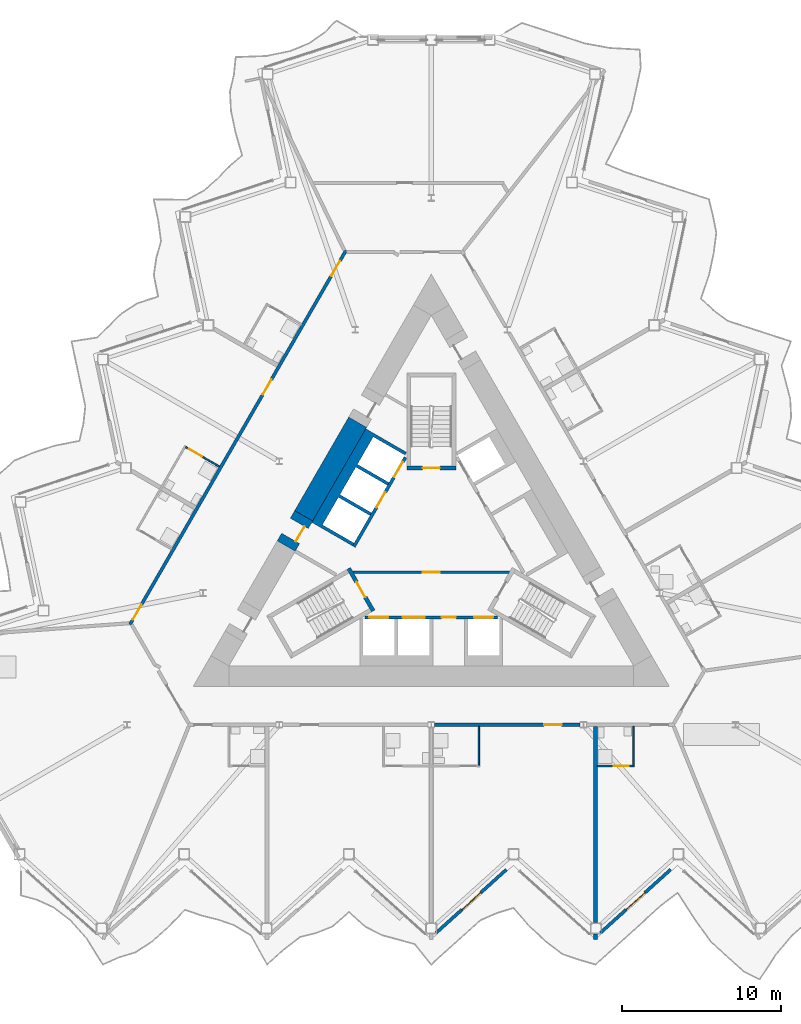
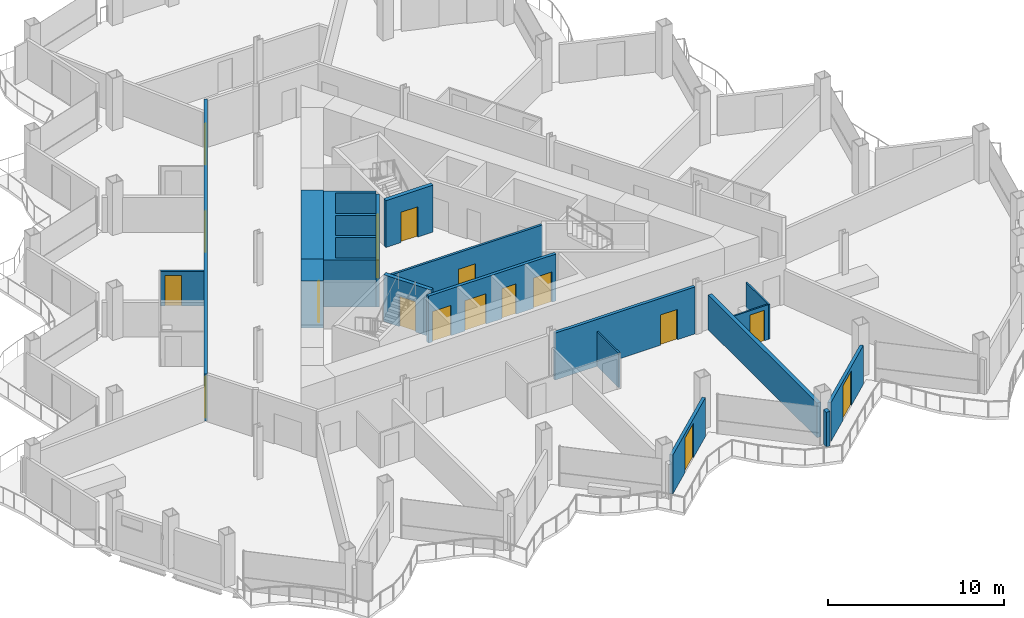
# One storey, part 12 of 24: 18 doors, 18 walls, 18 openings.
"""IFC4 building model written with IfcOpenShell, lengths in metres."""

from ifc_helpers import new_model, si_unit, direction, frame, frame_2d, origin, place, context, subcontext, project, spatial, polyline, rectangle, outline, extrude, material, layer, layer_set, type_object, element, fill, save


model = new_model("IFC4")

# Units and contexts
model_context = context("Model", 3, precision=1e-05, world=origin(), true_north=direction((0.0, 1.0)))
body_context = subcontext(model_context, "Body", "Model", "MODEL_VIEW")
ifc_project = project(units=[si_unit("LENGTHUNIT", "METRE"), si_unit("AREAUNIT", "SQUARE_METRE"), si_unit("VOLUMEUNIT", "CUBIC_METRE"), si_unit("PLANEANGLEUNIT", "RADIAN"), si_unit("MASSUNIT", "GRAM", prefix="KILO")], contexts=[model_context])

# Site, building, storey
site_placement = place(None, origin())
site = spatial("IfcSite", under=ifc_project, at=site_placement, CompositionType="ELEMENT")
building_placement = place(site_placement, origin())
building = spatial("IfcBuilding", under=site, at=building_placement, Name="Cormorant Prow Tower", CompositionType="ELEMENT")
storey_placement = place(building_placement, frame((0.0, 0.0, 234.60009765625)))
storey = spatial("IfcBuildingStorey", under=building, at=storey_placement, Name="L51", CompositionType="ELEMENT", Elevation=234.60009765625)

# Wall, opening, door
ifc_material_1 = material(Name="Gypsum board partition")
ifc_layer_1 = layer(ifc_material_1, 0.14990234375)
ifc_layer_set_1 = layer_set([ifc_layer_1], Name="Gypsum board partition")
wall_type_1 = type_object("IfcWallType", Name="Core partition 150", PredefinedType="PARTITIONING", material=ifc_layer_set_1)
wall_1_placement = place(storey_placement, frame((-4.941162109375, -1.449951171875, 0.0), z_axis=(0.0, 0.0, 1.0), x_axis=(1.0, 0.0, 0.0)))
wall_1 = element("IfcWall", 1, at=wall_1_placement, inside=storey, type_object=wall_type_1, Name="Firefighting lobby partition", PredefinedType="PARTITIONING", context=body_context, shape_type="SweptSolid", body=[
    extrude(rectangle(XDim=9.88232421875, YDim=0.14990234375, at=frame_2d((4.941162109375, 0.0))), origin(), (0.0, 0.0, 1.0), 3.25),
])
opening_1_placement = place(wall_1_placement, frame((4.39111328125, 0.0, 0.0)))
opening_1 = element("IfcOpeningElement", 2, at=opening_1_placement, cuts=wall_1, Name="Opening L51-C10", PredefinedType="OPENING", context=body_context, shape_type="SweptSolid", body=[
    extrude(rectangle(XDim=1.10009765625, YDim=2.10009765625, at=frame_2d((0.550048828125, 1.050048828125))), frame((0.0, 0.0849609375, 0.0), z_axis=(0.0, -1.0, 0.0), x_axis=(1.0, 0.0, 0.0)), (0.0, 0.0, 1.0), 0.169921875),
])
ifc_material_2 = material(Name="Painted steel", Category="steel")
door_type_1 = type_object("IfcDoorType", Name="Firefighting lobby door 1100x2100", OperationType="NOTDEFINED", PredefinedType="DOOR", material=ifc_material_2)
door_1_placement = place(opening_1_placement, origin())
door_1 = element("IfcDoor", 3, at=door_1_placement, inside=storey, type_object=door_type_1, Name="Firefighting lobby door", OperationType="SINGLE_SWING_RIGHT", OverallHeight=2.10009765625, OverallWidth=1.10009765625, PredefinedType="DOOR", context=body_context, shape_type="SweptSolid", body=[
    extrude(rectangle(XDim=1.10009765625, YDim=2.10009765625, at=frame_2d((0.550048828125, 1.050048828125))), frame((0.0, 0.02490234375, 0.0), z_axis=(0.0, -1.0, 0.0), x_axis=(1.0, 0.0, 0.0)), (0.0, 0.0, 1.0), 0.050048828125),
])
fill(opening_1, door_1)

# Wall
ifc_material_3 = material(Name="Concrete 8000 psi", Category="concrete")
ifc_layer_2 = layer(ifc_material_3, 1.300048828125)
ifc_layer_set_2 = layer_set([ifc_layer_2], Name="Concrete 8000 psi")
wall_type_2 = type_object("IfcWallType", Name="Core shear wall 1300", PredefinedType="SHEAR", material=ifc_layer_set_2)
wall_2_placement = place(storey_placement, frame((-4.63623046875, 7.989990234375, 0.0), z_axis=(0.0, 0.0, 1.0), x_axis=(-0.500022813292, -0.866012232124, 0.0)))
element("IfcWall", 4, at=wall_2_placement, inside=storey, type_object=wall_type_2, Name="Core wall", PredefinedType="SHEAR", context=body_context, shape_type="SweptSolid", body=[
    extrude(rectangle(XDim=6.801513671875, YDim=1.300048828125, at=frame_2d((3.40087890625, 0.0))), origin(), (0.0, 0.0, 1.0), 3.25),
])

# Wall, opening, door
wall_3_placement = place(storey_placement, frame((-8.037109375, 2.099853515625, 0.0), z_axis=(0.0, 0.0, 1.0), x_axis=(-0.50002983664, -0.866008176907, 0.0)))
wall_3 = element("IfcWall", 5, at=wall_3_placement, inside=storey, type_object=wall_type_2, Name="Core wall door panel", PredefinedType="SHEAR", context=body_context, shape_type="SweptSolid", body=[
    extrude(rectangle(XDim=2.199951171875, YDim=1.300048828125, at=frame_2d((1.10009765625, 0.0))), origin(), (0.0, 0.0, 1.0), 3.25),
])
opening_2_placement = place(wall_3_placement, frame((0.550048828125, 0.0, 0.0)))
opening_2 = element("IfcOpeningElement", 6, at=opening_2_placement, cuts=wall_3, Name="Opening L51-C18", PredefinedType="OPENING", context=body_context, shape_type="SweptSolid", body=[
    extrude(rectangle(XDim=1.10009765625, YDim=2.10009765625, at=frame_2d((0.550048828125, 1.050048828125))), frame((0.0, 0.659912109375, 0.0), z_axis=(0.0, -1.0, 0.0), x_axis=(1.0, 0.0, 0.0)), (0.0, 0.0, 1.0), 1.320068359375),
])
ifc_material_4 = material(Name="Painted steel", Category="steel")
door_type_2 = type_object("IfcDoorType", Name="Core door 1100x2100", OperationType="NOTDEFINED", PredefinedType="DOOR", material=ifc_material_4)
door_2_placement = place(opening_2_placement, origin())
door_2 = element("IfcDoor", 7, at=door_2_placement, inside=storey, type_object=door_type_2, Name="Core door, lift lobby", OperationType="SINGLE_SWING_RIGHT", OverallHeight=2.10009765625, OverallWidth=1.10009765625, PredefinedType="DOOR", context=body_context, shape_type="SweptSolid", body=[
    extrude(rectangle(XDim=1.10009765625, YDim=2.10009765625, at=frame_2d((0.550048828125, 1.050048828125))), frame((0.0, 0.40478515625, 0.0), z_axis=(0.0, -1.0, 0.0), x_axis=(1.0, 0.0, 0.0)), (0.0, 0.0, 1.0), 0.050048828125),
])
fill(opening_2, door_2)

# Wall, openings, doors
ifc_material_5 = material(Name="Gypsum board corridor wall")
ifc_layer_3 = layer(ifc_material_5, 0.199951171875)
ifc_layer_set_3 = layer_set([ifc_layer_3], Name="Gypsum board corridor wall")
wall_type_3 = type_object("IfcWallType", Name="Corridor wall 200", PredefinedType="PARTITIONING", material=ifc_layer_set_3)
wall_4_placement = place(storey_placement, frame((-18.97607421875, -4.746826171875, 0.0), z_axis=(0.0, 0.0, 1.0), x_axis=(0.499999852422, 0.866025488988, 0.0)))
wall_4 = element("IfcWall", 8, at=wall_4_placement, inside=storey, type_object=wall_type_3, Name="Corridor wall", PredefinedType="PARTITIONING", context=body_context, shape_type="SweptSolid", body=[
    extrude(rectangle(XDim=27.19775390625, YDim=0.199951171875, at=frame_2d((13.598876953125, 0.0))), origin(), (0.0, 0.0, 1.0), 3.25),
])
opening_3_placement = place(wall_4_placement, frame((25.345947265625, 0.0, 0.0)))
opening_3 = element("IfcOpeningElement", 9, at=opening_3_placement, cuts=wall_4, Name="Opening L51-F20", PredefinedType="OPENING", context=body_context, shape_type="SweptSolid", body=[
    extrude(rectangle(XDim=1.10009765625, YDim=2.10009765625, at=frame_2d((0.550048828125, 1.050048828125))), frame((0.0, 0.10986328125, 0.0), z_axis=(0.0, -1.0, 0.0), x_axis=(1.0, 0.0, 0.0)), (0.0, 0.0, 1.0), 0.219970703125),
])
opening_4_placement = place(wall_4_placement, frame((16.712890625, 0.0, 0.0)))
opening_4 = element("IfcOpeningElement", 10, at=opening_4_placement, cuts=wall_4, Name="Opening L51-F22", PredefinedType="OPENING", context=body_context, shape_type="SweptSolid", body=[
    extrude(rectangle(XDim=1.10009765625, YDim=2.10009765625, at=frame_2d((0.550048828125, 1.050048828125))), frame((0.0, 0.10986328125, 0.0), z_axis=(0.0, -1.0, 0.0), x_axis=(1.0, 0.0, 0.0)), (0.0, 0.0, 1.0), 0.219970703125),
])
opening_5_placement = place(wall_4_placement, frame((0.350341796875, 0.0, 0.0)))
opening_5 = element("IfcOpeningElement", 11, at=opening_5_placement, cuts=wall_4, Name="Opening L51-F24", PredefinedType="OPENING", context=body_context, shape_type="SweptSolid", body=[
    extrude(rectangle(XDim=1.10009765625, YDim=2.10009765625, at=frame_2d((0.550048828125, 1.050048828125))), frame((0.0, 0.10986328125, 0.0), z_axis=(0.0, -1.0, 0.0), x_axis=(1.0, 0.0, 0.0)), (0.0, 0.0, 1.0), 0.219970703125),
])
ifc_material_6 = material(Name="Timber door leaf", Category="wood")
door_type_3 = type_object("IfcDoorType", Name="Suite entrance door 1100x2100", OperationType="NOTDEFINED", PredefinedType="DOOR", material=ifc_material_6)
door_3_placement = place(opening_3_placement, origin())
door_3 = element("IfcDoor", 12, at=door_3_placement, inside=storey, type_object=door_type_3, Name="Executive suite bedroom door", OperationType="SINGLE_SWING_RIGHT", OverallHeight=2.10009765625, OverallWidth=1.10009765625, PredefinedType="DOOR", context=body_context, shape_type="SweptSolid", body=[
    extrude(rectangle(XDim=1.10009765625, YDim=2.10009765625, at=frame_2d((0.550048828125, 1.050048828125))), frame((0.0, 0.02490234375, 0.0), z_axis=(0.0, -1.0, 0.0), x_axis=(1.0, 0.0, 0.0)), (0.0, 0.0, 1.0), 0.050048828125),
])
fill(opening_3, door_3)
door_4_placement = place(opening_4_placement, origin())
door_4 = element("IfcDoor", 13, at=door_4_placement, inside=storey, type_object=door_type_3, Name="Junior suite door", OperationType="SINGLE_SWING_RIGHT", OverallHeight=2.10009765625, OverallWidth=1.10009765625, PredefinedType="DOOR", context=body_context, shape_type="SweptSolid", body=[
    extrude(rectangle(XDim=1.10009765625, YDim=2.10009765625, at=frame_2d((0.550048828125, 1.050048828125))), frame((0.0, 0.02490234375, 0.0), z_axis=(0.0, -1.0, 0.0), x_axis=(1.0, 0.0, 0.0)), (0.0, 0.0, 1.0), 0.050048828125),
])
fill(opening_4, door_4)
door_5_placement = place(opening_5_placement, origin())
door_5 = element("IfcDoor", 14, at=door_5_placement, inside=storey, type_object=door_type_3, Name="Executive suite bedroom door", OperationType="SINGLE_SWING_LEFT", OverallHeight=2.10009765625, OverallWidth=1.10009765625, PredefinedType="DOOR", context=body_context, shape_type="SweptSolid", body=[
    extrude(rectangle(XDim=1.10009765625, YDim=2.10009765625, at=frame_2d((0.550048828125, 1.050048828125))), frame((0.0, 0.02490234375, 0.0), z_axis=(0.0, -1.0, 0.0), x_axis=(1.0, 0.0, 0.0)), (0.0, 0.0, 1.0), 0.050048828125),
])
fill(opening_5, door_5)

# Wall, opening, door
wall_5_placement = place(storey_placement, frame((0.20947265625, -11.060302734375, 0.0), z_axis=(0.0, 0.0, 1.0), x_axis=(1.0, 0.0, 0.0)))
wall_5 = element("IfcWall", 15, at=wall_5_placement, inside=storey, type_object=wall_type_3, Name="Corridor wall", PredefinedType="PARTITIONING", context=body_context, shape_type="SweptSolid", body=[
    extrude(rectangle(XDim=9.159423828125, YDim=0.199951171875, at=frame_2d((4.57958984375, 0.0))), origin(), (0.0, 0.0, 1.0), 3.25),
])
opening_6_placement = place(wall_5_placement, frame((6.90234375, 0.0, 0.0)))
opening_6 = element("IfcOpeningElement", 16, at=opening_6_placement, cuts=wall_5, Name="Opening L51-F05", PredefinedType="OPENING", context=body_context, shape_type="SweptSolid", body=[
    extrude(rectangle(XDim=1.10009765625, YDim=2.10009765625, at=frame_2d((0.550048828125, 1.050048828125))), frame((0.0, 0.10986328125, 0.0), z_axis=(0.0, -1.0, 0.0), x_axis=(1.0, 0.0, 0.0)), (0.0, 0.0, 1.0), 0.219970703125),
])
door_6_placement = place(opening_6_placement, origin())
door_6 = element("IfcDoor", 17, at=door_6_placement, inside=storey, type_object=door_type_3, Name="Junior suite door", OperationType="SINGLE_SWING_RIGHT", OverallHeight=2.10009765625, OverallWidth=1.10009765625, PredefinedType="DOOR", context=body_context, shape_type="SweptSolid", body=[
    extrude(rectangle(XDim=1.10009765625, YDim=2.10009765625, at=frame_2d((0.550048828125, 1.050048828125))), frame((0.0, 0.02490234375, 0.0), z_axis=(0.0, -1.0, 0.0), x_axis=(1.0, 0.0, 0.0)), (0.0, 0.0, 1.0), 0.050048828125),
])
fill(opening_6, door_6)

ifc_material_7 = material(Name="Gypsum board partition")
ifc_layer_4 = layer(ifc_material_7, 0.10009765625)
ifc_layer_set_4 = layer_set([ifc_layer_4], Name="Gypsum board partition")
wall_type_4 = type_object("IfcWallType", Name="Internal partition 100", PredefinedType="PARTITIONING", material=ifc_layer_set_4)
wall_6_placement = place(storey_placement, frame((-15.470947265625, 6.42431640625, 0.0), z_axis=(0.0, 0.0, 1.0), x_axis=(0.866014668023, -0.500018594424, 0.0)))
wall_6 = element("IfcWall", 18, at=wall_6_placement, inside=storey, type_object=wall_type_4, Name="Internal partition", PredefinedType="PARTITIONING", context=body_context, shape_type="SweptSolid", body=[
    extrude(rectangle(XDim=2.4501953125, YDim=0.10009765625, at=frame_2d((1.22509765625, 0.0))), origin(), (0.0, 0.0, 1.0), 2.404052734375),
])
opening_7_placement = place(wall_6_placement, frame((0.25, 0.0, 0.0)))
opening_7 = element("IfcOpeningElement", 19, at=opening_7_placement, cuts=wall_6, Name="Opening L51-F23", PredefinedType="OPENING", context=body_context, shape_type="SweptSolid", body=[
    extrude(rectangle(XDim=0.949951171875, YDim=2.10009765625, at=frame_2d((0.47509765625, 1.050048828125))), frame((0.0, 0.06005859375, 0.0), z_axis=(0.0, -1.0, 0.0), x_axis=(1.0, 0.0, 0.0)), (0.0, 0.0, 1.0), 0.1201171875),
])
ifc_material_8 = material(Name="Timber door leaf", Category="wood")
door_type_4 = type_object("IfcDoorType", Name="Bathroom door 950x2100", OperationType="NOTDEFINED", PredefinedType="DOOR", material=ifc_material_8)
door_7_placement = place(opening_7_placement, origin())
door_7 = element("IfcDoor", 20, at=door_7_placement, inside=storey, type_object=door_type_4, Name="Junior suite door", OperationType="SINGLE_SWING_LEFT", OverallHeight=2.10009765625, OverallWidth=0.949951171875, PredefinedType="DOOR", context=body_context, shape_type="SweptSolid", body=[
    extrude(rectangle(XDim=0.949951171875, YDim=2.10009765625, at=frame_2d((0.47509765625, 1.050048828125))), frame((0.0, 0.02490234375, 0.0), z_axis=(0.0, -1.0, 0.0), x_axis=(1.0, 0.0, 0.0)), (0.0, 0.0, 1.0), 0.050048828125),
])
fill(opening_7, door_7)

# Walls
wall_7_placement = place(storey_placement, frame((3.0, -13.6103515625, 0.0), z_axis=(0.0, 0.0, 1.0), x_axis=(0.0, 1.0, 0.0)))
element("IfcWall", 21, at=wall_7_placement, inside=storey, type_object=wall_type_4, Name="Internal partition", PredefinedType="PARTITIONING", context=body_context, shape_type="SweptSolid", body=[
    extrude(rectangle(XDim=2.449951171875, YDim=0.10009765625, at=frame_2d((1.22509765625, 0.0))), origin(), (0.0, 0.0, 1.0), 2.404052734375),
])
wall_8_placement = place(storey_placement, frame((12.743896484375, -13.710205078125, 0.0), z_axis=(0.0, 0.0, 1.0), x_axis=(0.0, 1.0, 0.0)))
element("IfcWall", 22, at=wall_8_placement, inside=storey, type_object=wall_type_4, Name="Internal partition", PredefinedType="PARTITIONING", context=body_context, shape_type="SweptSolid", body=[
    extrude(rectangle(XDim=2.5498046875, YDim=0.10009765625, at=frame_2d((1.27490234375, 0.0))), origin(), (0.0, 0.0, 1.0), 2.404052734375),
])

# Wall, opening, door
wall_9_placement = place(storey_placement, frame((10.46875, -13.660400390625, 0.0), z_axis=(0.0, 0.0, 1.0), x_axis=(1.0, 0.0, 0.0)))
wall_9 = element("IfcWall", 23, at=wall_9_placement, inside=storey, type_object=wall_type_4, Name="Internal partition", PredefinedType="PARTITIONING", context=body_context, shape_type="SweptSolid", body=[
    extrude(rectangle(XDim=2.22509765625, YDim=0.10009765625, at=frame_2d((1.112548828125, 0.0))), origin(), (0.0, 0.0, 1.0), 2.404052734375),
])
opening_8_placement = place(wall_9_placement, frame((1.02490234375, 0.0, 0.0)))
opening_8 = element("IfcOpeningElement", 24, at=opening_8_placement, cuts=wall_9, Name="Opening L51-F08", PredefinedType="OPENING", context=body_context, shape_type="SweptSolid", body=[
    extrude(rectangle(XDim=0.949951171875, YDim=2.10009765625, at=frame_2d((0.47509765625, 1.050048828125))), frame((0.0, 0.06005859375, 0.0), z_axis=(0.0, -1.0, 0.0), x_axis=(1.0, 0.0, 0.0)), (0.0, 0.0, 1.0), 0.1201171875),
])
door_8_placement = place(opening_8_placement, origin())
door_8 = element("IfcDoor", 25, at=door_8_placement, inside=storey, type_object=door_type_4, Name="Junior suite door", OperationType="SINGLE_SWING_RIGHT", OverallHeight=2.10009765625, OverallWidth=0.949951171875, PredefinedType="DOOR", context=body_context, shape_type="SweptSolid", body=[
    extrude(rectangle(XDim=0.949951171875, YDim=2.10009765625, at=frame_2d((0.47509765625, 1.050048828125))), frame((0.0, 0.02490234375, 0.0), z_axis=(0.0, -1.0, 0.0), x_axis=(1.0, 0.0, 0.0)), (0.0, 0.0, 1.0), 0.050048828125),
])
fill(opening_8, door_8)

# Wall, openings, doors
ifc_material_9 = material(Name="Concrete 5000 psi", Category="concrete")
ifc_layer_5 = layer(ifc_material_9, 0.199951171875)
ifc_layer_set_5 = layer_set([ifc_layer_5], Name="Concrete 5000 psi")
wall_type_5 = type_object("IfcWallType", Name="Lift lobby wall 200", PredefinedType="SOLIDWALL", material=ifc_layer_set_5)
wall_10_placement = place(storey_placement, frame((-4.1865234375, -4.300048828125, 0.0), z_axis=(0.0, 0.0, 1.0), x_axis=(1.0, 0.0, 0.0)))
wall_10 = element("IfcWall", 26, at=wall_10_placement, inside=storey, type_object=wall_type_5, Name="Lift lobby wall, S block", PredefinedType="SOLIDWALL", context=body_context, shape_type="SweptSolid", body=[
    extrude(rectangle(XDim=8.373046875, YDim=0.199951171875, at=frame_2d((4.1865234375, 0.0))), origin(), (0.0, 0.0, 1.0), 3.25),
])
opening_9_placement = place(wall_10_placement, frame((0.28662109375, 0.0, 0.0)))
opening_9 = element("IfcOpeningElement", 27, at=opening_9_placement, cuts=wall_10, Name="Opening L51-C01", PredefinedType="OPENING", context=body_context, shape_type="SweptSolid", body=[
    extrude(rectangle(XDim=1.199951171875, YDim=2.10009765625, at=frame_2d((0.60009765625, 1.050048828125))), frame((0.0, 0.10986328125, 0.0), z_axis=(0.0, -1.0, 0.0), x_axis=(1.0, 0.0, 0.0)), (0.0, 0.0, 1.0), 0.219970703125),
])
opening_10_placement = place(wall_10_placement, frame((2.38671875, 0.0, 0.0)))
opening_10 = element("IfcOpeningElement", 28, at=opening_10_placement, cuts=wall_10, Name="Opening L51-C02", PredefinedType="OPENING", context=body_context, shape_type="SweptSolid", body=[
    extrude(rectangle(XDim=1.39990234375, YDim=2.10009765625, at=frame_2d((0.699951171875, 1.050048828125))), frame((0.0, 0.10986328125, 0.0), z_axis=(0.0, -1.0, 0.0), x_axis=(1.0, 0.0, 0.0)), (0.0, 0.0, 1.0), 0.219970703125),
])
opening_11_placement = place(wall_10_placement, frame((4.836669921875, 0.0, 0.0)))
opening_11 = element("IfcOpeningElement", 29, at=opening_11_placement, cuts=wall_10, Name="Opening L51-C03", PredefinedType="OPENING", context=body_context, shape_type="SweptSolid", body=[
    extrude(rectangle(XDim=0.89990234375, YDim=2.10009765625, at=frame_2d((0.449951171875, 1.050048828125))), frame((0.0, 0.10986328125, 0.0), z_axis=(0.0, -1.0, 0.0), x_axis=(1.0, 0.0, 0.0)), (0.0, 0.0, 1.0), 0.219970703125),
])
opening_12_placement = place(wall_10_placement, frame((6.88671875, 0.0, 0.0)))
opening_12 = element("IfcOpeningElement", 30, at=opening_12_placement, cuts=wall_10, Name="Opening L51-C04", PredefinedType="OPENING", context=body_context, shape_type="SweptSolid", body=[
    extrude(rectangle(XDim=1.199951171875, YDim=2.10009765625, at=frame_2d((0.60009765625, 1.050048828125))), frame((0.0, 0.10986328125, 0.0), z_axis=(0.0, -1.0, 0.0), x_axis=(1.0, 0.0, 0.0)), (0.0, 0.0, 1.0), 0.219970703125),
])
ifc_material_10 = material(Name="Painted steel", Category="steel")
door_type_5 = type_object("IfcDoorType", Name="Firefighting lift landing door 1200x2100", OperationType="SLIDING_TO_LEFT", PredefinedType="DOOR", material=ifc_material_10)
door_9_placement = place(opening_9_placement, origin())
door_9 = element("IfcDoor", 31, at=door_9_placement, inside=storey, type_object=door_type_5, Name="Landing door FL1", OperationType="SLIDING_TO_LEFT", OverallHeight=2.10009765625, OverallWidth=1.199951171875, PredefinedType="DOOR", context=body_context, shape_type="SweptSolid", body=[
    extrude(rectangle(XDim=1.199951171875, YDim=2.10009765625, at=frame_2d((0.60009765625, 1.050048828125))), frame((0.0, 0.02490234375, 0.0), z_axis=(0.0, -1.0, 0.0), x_axis=(1.0, 0.0, 0.0)), (0.0, 0.0, 1.0), 0.050048828125),
])
fill(opening_9, door_9)
door_10_placement = place(opening_12_placement, origin())
door_10 = element("IfcDoor", 32, at=door_10_placement, inside=storey, type_object=door_type_5, Name="Landing door FL2", OperationType="SLIDING_TO_LEFT", OverallHeight=2.10009765625, OverallWidth=1.199951171875, PredefinedType="DOOR", context=body_context, shape_type="SweptSolid", body=[
    extrude(rectangle(XDim=1.199951171875, YDim=2.10009765625, at=frame_2d((0.60009765625, 1.050048828125))), frame((0.0, 0.02490234375, 0.0), z_axis=(0.0, -1.0, 0.0), x_axis=(1.0, 0.0, 0.0)), (0.0, 0.0, 1.0), 0.050048828125),
])
fill(opening_12, door_10)
ifc_material_11 = material(Name="Painted steel", Category="steel")
door_type_6 = type_object("IfcDoorType", Name="Service door 900x2100", OperationType="NOTDEFINED", PredefinedType="DOOR", material=ifc_material_11)
door_11_placement = place(opening_11_placement, origin())
door_11 = element("IfcDoor", 33, at=door_11_placement, inside=storey, type_object=door_type_6, Name="Service door, Pantry store", OperationType="SINGLE_SWING_RIGHT", OverallHeight=2.10009765625, OverallWidth=0.89990234375, PredefinedType="DOOR", context=body_context, shape_type="SweptSolid", body=[
    extrude(rectangle(XDim=0.89990234375, YDim=2.10009765625, at=frame_2d((0.449951171875, 1.050048828125))), frame((0.0, 0.02490234375, 0.0), z_axis=(0.0, -1.0, 0.0), x_axis=(1.0, 0.0, 0.0)), (0.0, 0.0, 1.0), 0.050048828125),
])
fill(opening_11, door_11)
ifc_material_12 = material(Name="Painted steel", Category="steel")
door_type_7 = type_object("IfcDoorType", Name="Service lift landing door 1400x2100", OperationType="SLIDING_TO_LEFT", PredefinedType="DOOR", material=ifc_material_12)
door_12_placement = place(opening_10_placement, origin())
door_12 = element("IfcDoor", 34, at=door_12_placement, inside=storey, type_object=door_type_7, Name="Landing door SL1", OperationType="SLIDING_TO_LEFT", OverallHeight=2.10009765625, OverallWidth=1.39990234375, PredefinedType="DOOR", context=body_context, shape_type="SweptSolid", body=[
    extrude(rectangle(XDim=1.39990234375, YDim=2.10009765625, at=frame_2d((0.699951171875, 1.050048828125))), frame((0.0, 0.02490234375, 0.0), z_axis=(0.0, -1.0, 0.0), x_axis=(1.0, 0.0, 0.0)), (0.0, 0.0, 1.0), 0.050048828125),
])
fill(opening_10, door_12)

wall_11_placement = place(storey_placement, frame((-1.630615234375, 5.775634765625, 0.0), z_axis=(0.0, 0.0, 1.0), x_axis=(-0.499992876559, -0.866029516466, 0.0)))
wall_11 = element("IfcWall", 35, at=wall_11_placement, inside=storey, type_object=wall_type_5, Name="Lift lobby wall, WNW block", PredefinedType="SOLIDWALL", context=body_context, shape_type="SweptSolid", body=[
    extrude(rectangle(XDim=6.486328125, YDim=0.199951171875, at=frame_2d((3.2431640625, 0.0))), origin(), (0.0, 0.0, 1.0), 3.25),
])
opening_13_placement = place(wall_11_placement, frame((0.336669921875, 0.0, 0.0)))
opening_13 = element("IfcOpeningElement", 36, at=opening_13_placement, cuts=wall_11, Name="Opening L51-C08", PredefinedType="OPENING", context=body_context, shape_type="SweptSolid", body=[
    extrude(rectangle(XDim=1.10009765625, YDim=2.10009765625, at=frame_2d((0.550048828125, 1.050048828125))), frame((0.0, 0.10986328125, 0.0), z_axis=(0.0, -1.0, 0.0), x_axis=(1.0, 0.0, 0.0)), (0.0, 0.0, 1.0), 0.219970703125),
])
opening_14_placement = place(wall_11_placement, frame((2.53662109375, 0.0, 0.0)))
opening_14 = element("IfcOpeningElement", 37, at=opening_14_placement, cuts=wall_11, Name="Opening L51-C09", PredefinedType="OPENING", context=body_context, shape_type="SweptSolid", body=[
    extrude(rectangle(XDim=1.10009765625, YDim=2.10009765625, at=frame_2d((0.550048828125, 1.050048828125))), frame((0.0, 0.10986328125, 0.0), z_axis=(0.0, -1.0, 0.0), x_axis=(1.0, 0.0, 0.0)), (0.0, 0.0, 1.0), 0.219970703125),
])
ifc_material_13 = material(Name="Painted steel", Category="steel")
door_type_8 = type_object("IfcDoorType", Name="Lift landing door 1100x2100", OperationType="SLIDING_TO_LEFT", PredefinedType="DOOR", material=ifc_material_13)
door_13_placement = place(opening_13_placement, origin())
door_13 = element("IfcDoor", 38, at=door_13_placement, inside=storey, type_object=door_type_8, Name="Landing door MR2", OperationType="SLIDING_TO_LEFT", OverallHeight=2.10009765625, OverallWidth=1.10009765625, PredefinedType="DOOR", context=body_context, shape_type="SweptSolid", body=[
    extrude(rectangle(XDim=1.10009765625, YDim=2.10009765625, at=frame_2d((0.550048828125, 1.050048828125))), frame((0.0, 0.02490234375, 0.0), z_axis=(0.0, -1.0, 0.0), x_axis=(1.0, 0.0, 0.0)), (0.0, 0.0, 1.0), 0.050048828125),
])
fill(opening_13, door_13)
door_14_placement = place(opening_14_placement, origin())
door_14 = element("IfcDoor", 39, at=door_14_placement, inside=storey, type_object=door_type_8, Name="Landing door MR3", OperationType="SLIDING_TO_LEFT", OverallHeight=2.10009765625, OverallWidth=1.10009765625, PredefinedType="DOOR", context=body_context, shape_type="SweptSolid", body=[
    extrude(rectangle(XDim=1.10009765625, YDim=2.10009765625, at=frame_2d((0.550048828125, 1.050048828125))), frame((0.0, 0.02490234375, 0.0), z_axis=(0.0, -1.0, 0.0), x_axis=(1.0, 0.0, 0.0)), (0.0, 0.0, 1.0), 0.050048828125),
])
fill(opening_14, door_14)

# Wall
ifc_material_14 = material(Name="Concrete 8000 psi", Category="concrete")
ifc_layer_6 = layer(ifc_material_14, 0.199951171875)
ifc_layer_set_6 = layer_set([ifc_layer_6], Name="Concrete 8000 psi")
wall_type_6 = type_object("IfcWallType", Name="Lift shaft wall 200", PredefinedType="SHEAR", material=ifc_layer_set_6)
wall_12_placement = place(storey_placement, origin())
element("IfcWall", 40, at=wall_12_placement, inside=storey, type_object=wall_type_6, Name="Lift shaft walls, WNW block", PredefinedType="SHEAR", context=body_context, shape_type="SweptSolid", body=[
    extrude(outline(polyline([(-7.524169921875, 1.688232421875), (-4.124267578125, 7.5771484375), (-3.730712890625, 7.35009765625), (-1.560546875, 6.09716796875), (-1.660400390625, 5.923828125), (-3.65234375, 7.073974609375), (-4.65234375, 5.341796875), (-2.660400390625, 4.19189453125), (-2.760498046875, 4.018798828125), (-4.75244140625, 5.168701171875), (-5.75244140625, 3.4365234375), (-3.760498046875, 2.28662109375), (-3.860595703125, 2.11328125), (-5.852294921875, 3.263427734375), (-6.852294921875, 1.53125), (-4.860595703125, 0.38134765625), (-4.96044921875, 0.2080078125), (-7.130859375, 1.461181640625), (-7.524169921875, 1.688232421875)])), origin(), (0.0, 0.0, 1.0), 3.25),
])

# Wall, opening, door
ifc_material_15 = material(Name="Concrete 8000 psi", Category="concrete")
ifc_layer_7 = layer(ifc_material_15, 0.25)
ifc_layer_set_7 = layer_set([ifc_layer_7], Name="Concrete 8000 psi")
wall_type_7 = type_object("IfcWallType", Name="Stair wall 250", PredefinedType="SHEAR", material=ifc_layer_set_7)
wall_13_placement = place(storey_placement, frame((-5.198974609375, -1.21875, 0.0), z_axis=(0.0, 0.0, 1.0), x_axis=(0.499982516597, -0.866035497597, 0.0)))
wall_13 = element("IfcWall", 41, at=wall_13_placement, inside=storey, type_object=wall_type_7, Name="Stair ST1 door wall", PredefinedType="SHEAR", context=body_context, shape_type="SweptSolid", body=[
    extrude(rectangle(XDim=3.087890625, YDim=0.25, at=frame_2d((1.5439453125, 0.0))), origin(), (0.0, 0.0, 1.0), 3.25),
])
opening_15_placement = place(wall_13_placement, frame((0.993896484375, 0.0, 0.0)))
opening_15 = element("IfcOpeningElement", 42, at=opening_15_placement, cuts=wall_13, Name="Opening L51-C11", PredefinedType="OPENING", context=body_context, shape_type="SweptSolid", body=[
    extrude(rectangle(XDim=1.10009765625, YDim=2.10009765625, at=frame_2d((0.550048828125, 1.050048828125))), frame((0.0, 0.135009765625, 0.0), z_axis=(0.0, -1.0, 0.0), x_axis=(1.0, 0.0, 0.0)), (0.0, 0.0, 1.0), 0.27001953125),
])
ifc_material_16 = material(Name="Painted steel", Category="steel")
door_type_9 = type_object("IfcDoorType", Name="Stair door 1100x2100", OperationType="NOTDEFINED", PredefinedType="DOOR", material=ifc_material_16)
door_15_placement = place(opening_15_placement, origin())
door_15 = element("IfcDoor", 43, at=door_15_placement, inside=storey, type_object=door_type_9, Name="Stair ST1 door", OperationType="SINGLE_SWING_LEFT", OverallHeight=2.10009765625, OverallWidth=1.10009765625, PredefinedType="DOOR", context=body_context, shape_type="SweptSolid", body=[
    extrude(rectangle(XDim=1.10009765625, YDim=2.10009765625, at=frame_2d((0.550048828125, 1.050048828125))), frame((0.0, 0.02490234375, 0.0), z_axis=(0.0, -1.0, 0.0), x_axis=(1.0, 0.0, 0.0)), (0.0, 0.0, 1.0), 0.050048828125),
])
fill(opening_15, door_15)

wall_14_placement = place(storey_placement, frame((1.5439453125, 5.11181640625, 0.0), z_axis=(0.0, 0.0, 1.0), x_axis=(-1.0, 0.0, 0.0)))
wall_14 = element("IfcWall", 44, at=wall_14_placement, inside=storey, type_object=wall_type_7, Name="Stair ST3 door wall", PredefinedType="SHEAR", context=body_context, shape_type="SweptSolid", body=[
    extrude(rectangle(XDim=3.087890625, YDim=0.25, at=frame_2d((1.5439453125, 0.0))), origin(), (0.0, 0.0, 1.0), 3.25),
])
opening_16_placement = place(wall_14_placement, frame((0.993896484375, 0.0, 0.0)))
opening_16 = element("IfcOpeningElement", 45, at=opening_16_placement, cuts=wall_14, Name="Opening L51-C13", PredefinedType="OPENING", context=body_context, shape_type="SweptSolid", body=[
    extrude(rectangle(XDim=1.10009765625, YDim=2.10009765625, at=frame_2d((0.550048828125, 1.050048828125))), frame((0.0, 0.135009765625, 0.0), z_axis=(0.0, -1.0, 0.0), x_axis=(1.0, 0.0, 0.0)), (0.0, 0.0, 1.0), 0.27001953125),
])
door_16_placement = place(opening_16_placement, origin())
door_16 = element("IfcDoor", 46, at=door_16_placement, inside=storey, type_object=door_type_9, Name="Stair ST3 door", OperationType="SINGLE_SWING_RIGHT", OverallHeight=2.10009765625, OverallWidth=1.10009765625, PredefinedType="DOOR", context=body_context, shape_type="SweptSolid", body=[
    extrude(rectangle(XDim=1.10009765625, YDim=2.10009765625, at=frame_2d((0.550048828125, 1.050048828125))), frame((0.0, 0.02490234375, 0.0), z_axis=(0.0, -1.0, 0.0), x_axis=(1.0, 0.0, 0.0)), (0.0, 0.0, 1.0), 0.050048828125),
])
fill(opening_16, door_16)

# Walls
ifc_material_17 = material(Name="Acoustic gypsum party wall")
ifc_layer_8 = layer(ifc_material_17, 0.25)
ifc_layer_set_8 = layer_set([ifc_layer_8], Name="Acoustic gypsum party wall")
wall_type_8 = type_object("IfcWallType", Name="Suite party wall 250", PredefinedType="PARTITIONING", material=ifc_layer_set_8)
wall_15_placement = place(storey_placement, frame((10.34375, -23.52685546875, 0.0), z_axis=(0.0, 0.0, 1.0), x_axis=(0.0, 1.0, 0.0)))
element("IfcWall", 47, at=wall_15_placement, inside=storey, type_object=wall_type_8, Name="Suite party wall", PredefinedType="PARTITIONING", context=body_context, shape_type="SweptSolid", body=[
    extrude(rectangle(XDim=12.366455078125, YDim=0.25, at=frame_2d((6.18310546875, 0.0))), origin(), (0.0, 0.0, 1.0), 2.404052734375),
])
wall_16_placement = place(storey_placement, frame((10.34375, -24.57958984375, 0.0), z_axis=(0.0, 0.0, 1.0), x_axis=(0.0, 1.0, 0.0)))
element("IfcWall", 48, at=wall_16_placement, inside=storey, type_object=wall_type_8, Name="Suite party wall", PredefinedType="PARTITIONING", context=body_context, shape_type="SweptSolid", body=[
    extrude(rectangle(XDim=0.332763671875, YDim=0.25, at=frame_2d((0.16650390625, 0.0))), origin(), (0.0, 0.0, 1.0), 2.404052734375),
])

# Wall, opening, door
ifc_material_18 = material(Name="Terracotta", Category="masonry")
ifc_layer_9 = layer(ifc_material_18, 0.199951171875)
ifc_layer_set_9 = layer_set([ifc_layer_9], Name="Terracotta")
wall_type_9 = type_object("IfcWallType", Name="Terracotta jamb wall 200", PredefinedType="SOLIDWALL", material=ifc_layer_set_9)
wall_17_placement = place(storey_placement, frame((0.305419921875, -24.170166015625, 0.0), z_axis=(0.0, 0.0, 1.0), x_axis=(0.743143336638, 0.669132259878, 0.0)))
wall_17 = element("IfcWall", 49, at=wall_17_placement, inside=storey, type_object=wall_type_9, Name="Terracotta jamb wall S05", PredefinedType="SOLIDWALL", context=body_context, shape_type="SweptSolid", body=[
    extrude(rectangle(XDim=5.95751953125, YDim=0.199951171875, at=frame_2d((2.978759765625, 0.0))), origin(), (0.0, 0.0, 1.0), 2.70068359375),
])
opening_17_placement = place(wall_17_placement, frame((2.1787109375, 0.0, 0.0)))
opening_17 = element("IfcOpeningElement", 50, at=opening_17_placement, cuts=wall_17, Name="Opening ED51.03", PredefinedType="OPENING", context=body_context, shape_type="SweptSolid", body=[
    extrude(rectangle(XDim=1.60009765625, YDim=2.39990234375, at=frame_2d((0.800048828125, 1.199951171875))), frame((0.0, 0.10986328125, 0.0), z_axis=(0.0, -1.0, 0.0), x_axis=(1.0, 0.0, 0.0)), (0.0, 0.0, 1.0), 0.219970703125),
])
ifc_material_19 = material(Name="Aluminium 6063-T6", Category="aluminium")
door_type_10 = type_object("IfcDoorType", Name="Balcony door 1600x2400", OperationType="DOUBLE_DOOR_SINGLE_SWING", PredefinedType="DOOR", material=ifc_material_19)
door_17_placement = place(opening_17_placement, origin())
door_17 = element("IfcDoor", 51, at=door_17_placement, inside=storey, type_object=door_type_10, Name="Balcony door S05 ED51.03", OperationType="DOUBLE_DOOR_SINGLE_SWING", OverallHeight=2.39990234375, OverallWidth=1.60009765625, PredefinedType="DOOR", context=body_context, shape_type="SweptSolid", body=[
    extrude(rectangle(XDim=1.60009765625, YDim=2.39990234375, at=frame_2d((0.800048828125, 1.199951171875))), frame((0.0, 0.02490234375, 0.0), z_axis=(0.0, -1.0, 0.0), x_axis=(1.0, 0.0, 0.0)), (0.0, 0.0, 1.0), 0.050048828125),
])
fill(opening_17, door_17)

wall_18_placement = place(storey_placement, frame((10.649169921875, -24.170166015625, 0.0), z_axis=(0.0, 0.0, 1.0), x_axis=(0.743143336638, 0.669132259878, 0.0)))
wall_18 = element("IfcWall", 52, at=wall_18_placement, inside=storey, type_object=wall_type_9, Name="Terracotta jamb wall S07", PredefinedType="SOLIDWALL", context=body_context, shape_type="SweptSolid", body=[
    extrude(rectangle(XDim=5.95751953125, YDim=0.199951171875, at=frame_2d((2.978759765625, 0.0))), origin(), (0.0, 0.0, 1.0), 2.70068359375),
])
opening_18_placement = place(wall_18_placement, frame((2.1787109375, 0.0, 0.0)))
opening_18 = element("IfcOpeningElement", 53, at=opening_18_placement, cuts=wall_18, Name="Opening ED51.04", PredefinedType="OPENING", context=body_context, shape_type="SweptSolid", body=[
    extrude(rectangle(XDim=1.60009765625, YDim=2.39990234375, at=frame_2d((0.800048828125, 1.199951171875))), frame((0.0, 0.10986328125, 0.0), z_axis=(0.0, -1.0, 0.0), x_axis=(1.0, 0.0, 0.0)), (0.0, 0.0, 1.0), 0.219970703125),
])
door_18_placement = place(opening_18_placement, origin())
door_18 = element("IfcDoor", 54, at=door_18_placement, inside=storey, type_object=door_type_10, Name="Balcony door S07 ED51.04", OperationType="DOUBLE_DOOR_SINGLE_SWING", OverallHeight=2.39990234375, OverallWidth=1.60009765625, PredefinedType="DOOR", context=body_context, shape_type="SweptSolid", body=[
    extrude(rectangle(XDim=1.60009765625, YDim=2.39990234375, at=frame_2d((0.800048828125, 1.199951171875))), frame((0.0, 0.02490234375, 0.0), z_axis=(0.0, -1.0, 0.0), x_axis=(1.0, 0.0, 0.0)), (0.0, 0.0, 1.0), 0.050048828125),
])
fill(opening_18, door_18)

save(model, "model.ifc")
